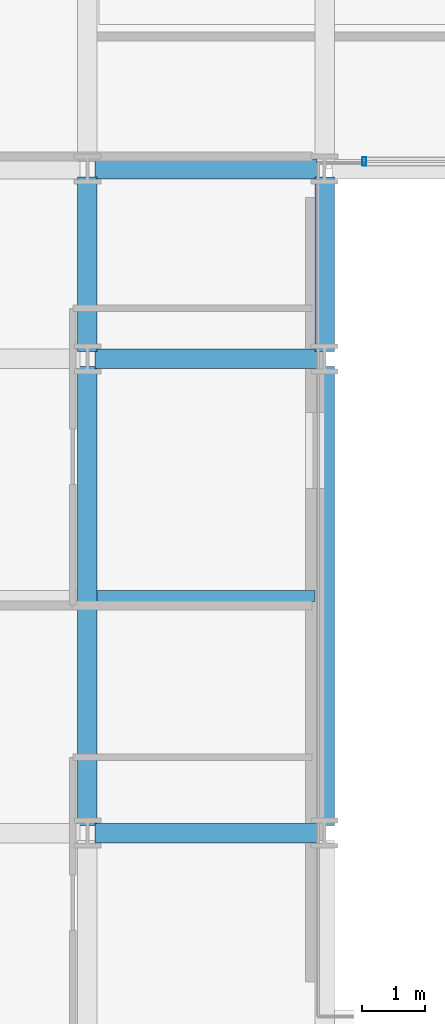
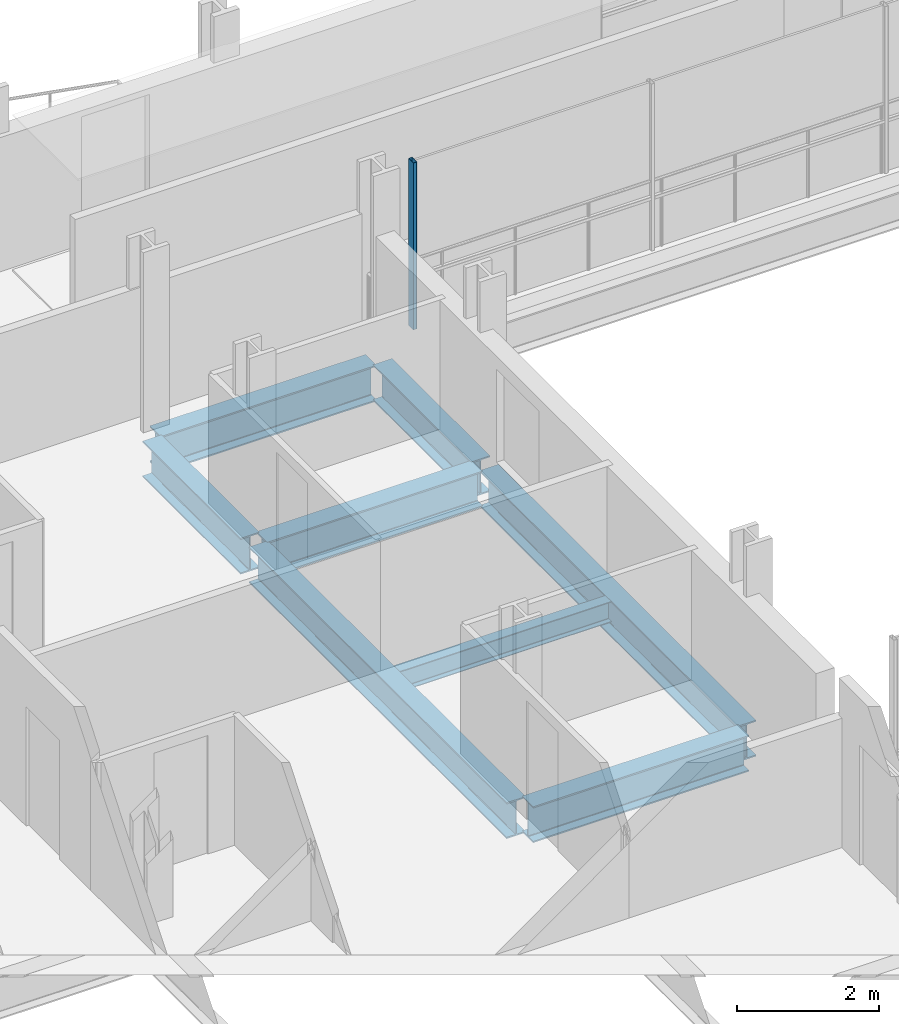
# One storey, part 8 of 39: 8 beams, 1 member, 1 element without a shape of its own.
"""IFC4 building model written with IfcOpenShell, lengths in metres."""

from ifc_helpers import new_model, si_unit, direction, frame, origin, origin_2d, place, context, subcontext, project, spatial, hollow_rectangle, i_section, extrude, material, layer, layer_set, material_profile, profile_set, type_object, element, aggregate, save


model = new_model("IFC4")

# Units and contexts
model_context = context("Model", 3, precision=1e-05, world=origin(), true_north=direction((0.0, 1.0)))
body_context = subcontext(model_context, "Body", "Model", "MODEL_VIEW")
ifc_project = project(units=[si_unit("LENGTHUNIT", "METRE"), si_unit("AREAUNIT", "SQUARE_METRE"), si_unit("VOLUMEUNIT", "CUBIC_METRE"), si_unit("PLANEANGLEUNIT", "RADIAN"), si_unit("MASSUNIT", "GRAM", prefix="KILO")], contexts=[model_context])

# Site, building, storey
site_placement = place(None, origin())
site = spatial("IfcSite", under=ifc_project, at=site_placement, CompositionType="ELEMENT")
building_placement = place(site_placement, origin())
building = spatial("IfcBuilding", under=site, at=building_placement, Name="Brevholm Reach", CompositionType="ELEMENT")
storey_placement = place(building_placement, frame((0.0, 0.0, 34.199951171875)))
storey = spatial("IfcBuildingStorey", under=building, at=storey_placement, Name="L08", CompositionType="ELEMENT", Elevation=34.199951171875)

# Beams
ifc_material_1 = material(Name="Structural Steel S355J2", Category="steel")
ifc_material_profile_1 = material_profile(ifc_material_1, i_section(OverallWidth=0.17138671875, OverallDepth=0.35498046875, WebThickness=0.00732421875, FlangeThickness=0.011474609375, FilletRadius=0.01025390625, at=origin_2d()), Name="UKB 356x171x51")
ifc_profile_set_1 = profile_set([ifc_material_profile_1], Name="Structural Steel S355J2")
beam_type_1 = type_object("IfcBeamType", Name="BM-B356", PredefinedType="BEAM", material=ifc_profile_set_1)
beam_1_placement = place(storey_placement, frame((18.153564453125, 19.75, -0.407470703125), z_axis=(1.0, 0.0, 0.0), x_axis=(0.0, 1.0, 0.0)))
element("IfcBeam", 1, at=beam_1_placement, inside=storey, type_object=beam_type_1, Name="L08 Composite Secondary Floor Beam", PredefinedType="BEAM", context=body_context, shape_type="SweptSolid", body=[
    extrude(i_section(OverallWidth=0.17138671875, OverallDepth=0.35498046875, WebThickness=0.00732421875, FlangeThickness=0.011474609375, FilletRadius=0.01025390625, at=origin_2d()), origin(), (0.0, 0.0, 1.0), 3.44287109375),
])
ifc_material_2 = material(Name="Structural Steel S355J2", Category="steel")
ifc_material_profile_2 = material_profile(ifc_material_2, i_section(OverallWidth=0.30712890625, OverallDepth=0.6201171875, WebThickness=0.01416015625, FlangeThickness=0.023681640625, FilletRadius=0.0166015625, at=origin_2d()), Name="UKB 610x305x179")
ifc_profile_set_2 = profile_set([ifc_material_profile_2], Name="Structural Steel S355J2")
beam_type_2 = type_object("IfcBeamType", Name="BM-UKB610H", PredefinedType="USERDEFINED", material=ifc_profile_set_2)
for number, where, z_axis, x_axis, name in (
    (2, (18.1201171875, 16.0, -0.5400390625), (1.0, 0.0, 0.0), (0.0, 1.0, 0.0), "L08 G-06 Framing Beam"),
    (3, (18.1201171875, 23.5, -0.5400390625), (1.0, 0.0, 0.0), (0.0, 1.0, 0.0), "L08 G-06 Framing Beam"),
    (4, (18.1201171875, 26.5, -0.5400390625), (1.0, 0.0, 0.0), (0.0, 1.0, 0.0), "L08 G-06 Framing Beam"),
):
    element("IfcBeam", number, at=place(storey_placement, frame(where, z_axis=z_axis, x_axis=x_axis)), inside=storey, type_object=beam_type_2, Name=name, ObjectType="GIRDER", PredefinedType="USERDEFINED", context=body_context, shape_type="SweptSolid", body=[
        extrude(i_section(OverallWidth=0.30712890625, OverallDepth=0.6201171875, WebThickness=0.01416015625, FlangeThickness=0.023681640625, FilletRadius=0.0166015625, at=origin_2d()), origin(), (0.0, 0.0, 1.0), 3.509765625),
    ])
beam_2_placement = place(storey_placement, frame((18.0, 16.1201171875, -0.5400390625), z_axis=(0.0, 1.0, 0.0), x_axis=(-1.0, 0.0, 0.0)))
element("IfcBeam", 5, at=beam_2_placement, inside=storey, type_object=beam_type_2, Name="L08 G-06 Framing Beam", ObjectType="GIRDER", PredefinedType="USERDEFINED", context=body_context, shape_type="SweptSolid", body=[
    extrude(i_section(OverallWidth=0.30712890625, OverallDepth=0.6201171875, WebThickness=0.01416015625, FlangeThickness=0.023681640625, FilletRadius=0.0166015625, at=origin_2d()), origin(), (0.0, 0.0, 1.0), 7.259765625),
])
beam_3_placement = place(storey_placement, frame((18.0, 23.6201171875, -0.5400390625), z_axis=(0.0, 1.0, 0.0), x_axis=(-1.0, 0.0, 0.0)))
element("IfcBeam", 6, at=beam_3_placement, inside=storey, type_object=beam_type_2, Name="L08 G-06 Framing Beam", ObjectType="GIRDER", PredefinedType="USERDEFINED", context=body_context, shape_type="SweptSolid", body=[
    extrude(i_section(OverallWidth=0.30712890625, OverallDepth=0.6201171875, WebThickness=0.01416015625, FlangeThickness=0.023681640625, FilletRadius=0.0166015625, at=origin_2d()), origin(), (0.0, 0.0, 1.0), 2.759765625),
])
beam_4_placement = place(storey_placement, frame((21.75, 16.1201171875, -0.5400390625), z_axis=(0.0, 1.0, 0.0), x_axis=(-1.0, 0.0, 0.0)))
element("IfcBeam", 7, at=beam_4_placement, inside=storey, type_object=beam_type_2, Name="L08 G-06 Framing Beam", ObjectType="GIRDER", PredefinedType="USERDEFINED", context=body_context, shape_type="SweptSolid", body=[
    extrude(i_section(OverallWidth=0.30712890625, OverallDepth=0.6201171875, WebThickness=0.01416015625, FlangeThickness=0.023681640625, FilletRadius=0.0166015625, at=origin_2d()), origin(), (0.0, 0.0, 1.0), 7.259765625),
])
beam_5_placement = place(storey_placement, frame((21.75, 23.6201171875, -0.5400390625), z_axis=(0.0, 1.0, 0.0), x_axis=(-1.0, 0.0, 0.0)))
element("IfcBeam", 8, at=beam_5_placement, inside=storey, type_object=beam_type_2, Name="L08 G-06 Framing Beam", ObjectType="GIRDER", PredefinedType="USERDEFINED", context=body_context, shape_type="SweptSolid", body=[
    extrude(i_section(OverallWidth=0.30712890625, OverallDepth=0.6201171875, WebThickness=0.01416015625, FlangeThickness=0.023681640625, FilletRadius=0.0166015625, at=origin_2d()), origin(), (0.0, 0.0, 1.0), 2.759765625),
])

# Curtain wall, member
ifc_material_3 = material(Name="Dark Anodised Aluminium 6063-T6 and Solar-Control Glass", Category="aluminium")
ifc_layer = layer(ifc_material_3, 0.139892578125)
ifc_layer_set = layer_set([ifc_layer], Name="Dark Anodised Aluminium 6063-T6 and Solar-Control Glass")
curtain_wall_type = type_object("IfcCurtainWallType", Name="CW-02", PredefinedType="NOTDEFINED", material=ifc_layer_set)
curtain_wall_placement = place(storey_placement, origin())
curtain_wall = element("IfcCurtainWall", 9, at=curtain_wall_placement, inside=storey, type_object=curtain_wall_type, Name="L08 Curtain Wall CW-02", PredefinedType="NOTDEFINED")
ifc_material_4 = material(Name="Dark Anodised Aluminium 6063-T6", Category="aluminium")
ifc_material_profile_3 = material_profile(ifc_material_4, hollow_rectangle(XDim=0.06005859375, YDim=0.139892578125, WallThickness=0.0048828125, InnerFilletRadius=0.0048828125, OuterFilletRadius=0.010009765625, at=origin_2d()), Name="RHS 140x60x5")
ifc_profile_set_3 = profile_set([ifc_material_profile_3], Name="Dark Anodised Aluminium 6063-T6")
member_type = type_object("IfcMemberType", Name="CWM-140", PredefinedType="MULLION", material=ifc_profile_set_3)
member_placement = place(storey_placement, frame((22.3798828125, 26.6201171875, 0.0), z_axis=(0.0, 0.0, 1.0), x_axis=(-1.0, 0.0, 0.0)))
member = element("IfcMember", 10, at=member_placement, type_object=member_type, Name="CM-140 Mullion 5", PredefinedType="MULLION", context=body_context, shape_type="SweptSolid", body=[
    extrude(hollow_rectangle(XDim=0.06005859375, YDim=0.139892578125, WallThickness=0.0048828125, InnerFilletRadius=0.0048828125, OuterFilletRadius=0.010009765625, at=origin_2d()), origin(), (0.0, 0.0, 1.0), 2.8701171875),
])
aggregate(curtain_wall, [member])

save(model, "model.ifc")
